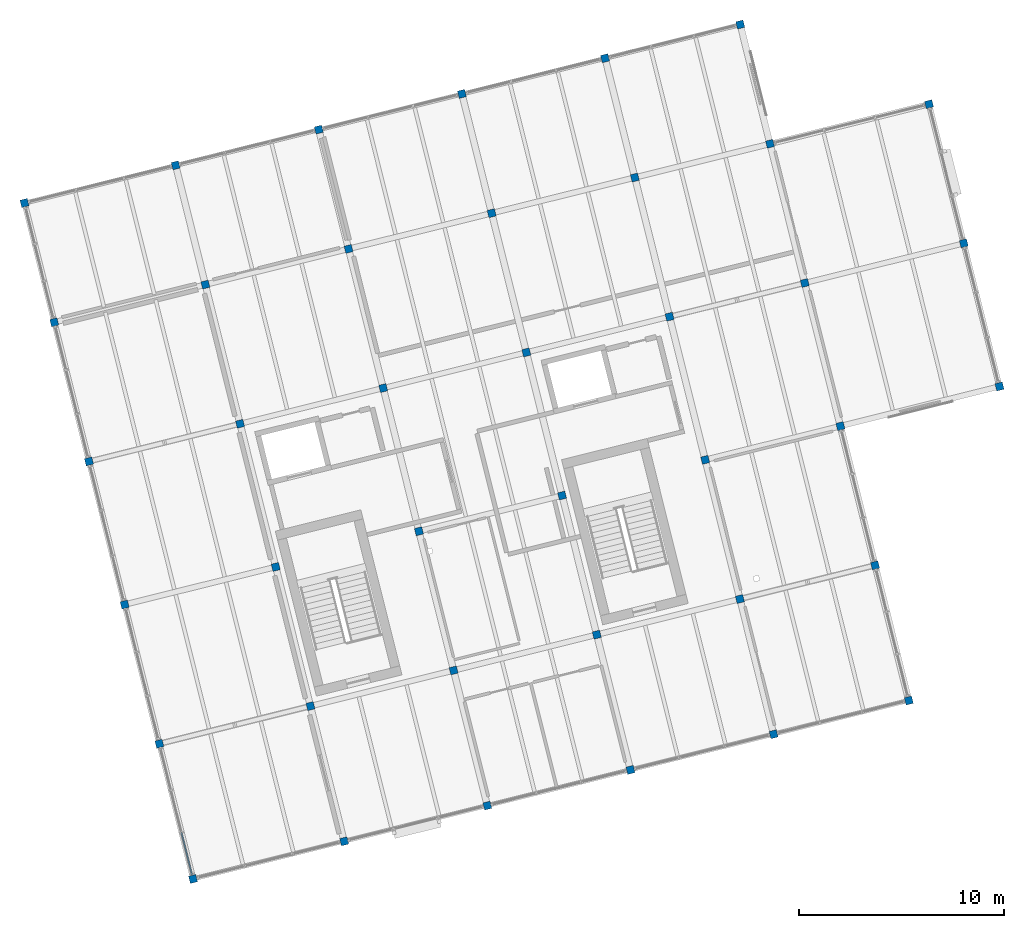
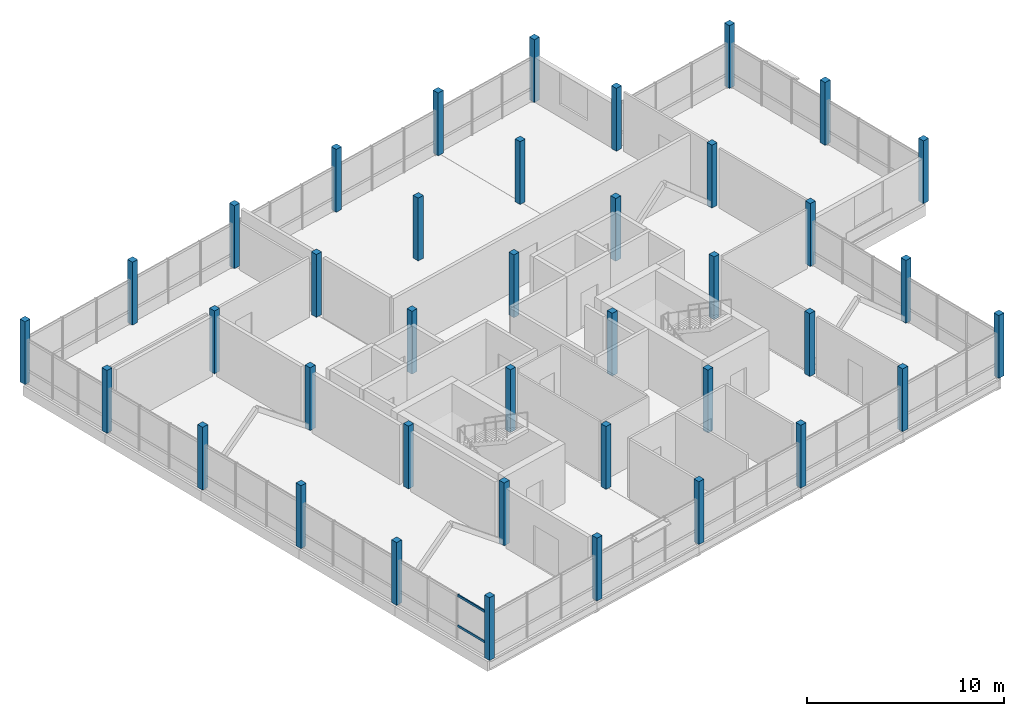
# One storey, part 1 of 26: 39 columns, 2 members, 1 element without a shape of its own.
"""IFC4 building model written with IfcOpenShell, lengths in metres."""

from ifc_helpers import new_model, si_unit, direction, frame, origin, origin_2d, place, context, subcontext, project, spatial, rectangle, hollow_rectangle, extrude, material, layer, layer_set, material_profile, profile_set, type_object, element, aggregate, save


model = new_model("IFC4")

# Units and contexts
model_context = context("Model", 3, precision=1e-05, world=origin(), true_north=direction((0.0, 1.0)))
body_context = subcontext(model_context, "Body", "Model", "MODEL_VIEW")
ifc_project = project(units=[si_unit("LENGTHUNIT", "METRE"), si_unit("AREAUNIT", "SQUARE_METRE"), si_unit("VOLUMEUNIT", "CUBIC_METRE"), si_unit("PLANEANGLEUNIT", "RADIAN"), si_unit("MASSUNIT", "GRAM", prefix="KILO")], contexts=[model_context])

# Site, building, storey
site_placement = place(None, origin())
site = spatial("IfcSite", under=ifc_project, at=site_placement, CompositionType="ELEMENT")
building_placement = place(site_placement, origin())
building = spatial("IfcBuilding", under=site, at=building_placement, Name="Meriwether Solvik Hall", CompositionType="ELEMENT")
storey_placement = place(building_placement, frame((0.0, 0.0, 41.699951171875)))
storey = spatial("IfcBuildingStorey", under=building, at=storey_placement, Name="L10", CompositionType="ELEMENT", Elevation=41.699951171875)

# Columns
ifc_material_1 = material(Name="Glulam Douglas-Fir L2 GL28c", Category="wood")
ifc_material_profile_1 = material_profile(ifc_material_1, rectangle(XDim=0.364990234375, YDim=0.364990234375, at=origin_2d()), Name="GLC-365X365")
ifc_profile_set_1 = profile_set([ifc_material_profile_1], Name="Glulam Douglas-Fir L2 GL28c")
column_type = type_object("IfcColumnType", Name="COL-GL-365X365", PredefinedType="COLUMN", material=ifc_profile_set_1)
for number, where, z_axis, x_axis, name in (
    (1, (68.60009765625, 41.199951171875, 0.0), (0.0, 0.0, 1.0), (0.970295726276, 0.2419218956, 0.0), "Tower Column T1/TA (L10)"),
    (2, (66.954833984375, 47.798095703125, 0.0), (0.0, 0.0, 1.0), (0.970295726276, 0.2419218956, 0.0), "Tower Column T1/TB (L10)"),
    (3, (65.261474609375, 54.590087890625, 0.0), (0.0, 0.0, 1.0), (0.970295726276, 0.2419218956, 0.0), "Tower Column T1/TC (L10)"),
    (4, (63.51953125, 61.576171875, 0.0), (0.0, 0.0, 1.0), (0.970295726276, 0.2419218956, 0.0), "Tower Column T1/TD (L10)"),
    (5, (61.826171875, 68.3681640625, 0.0), (0.0, 0.0, 1.0), (0.970295726276, 0.2419218956, 0.0), "Tower Column T1/TE (L10)"),
    (6, (60.374755859375, 74.18994140625, 0.0), (0.0, 0.0, 1.0), (0.970295726276, 0.2419218956, 0.0), "Tower Column T1/TF (L10)"),
    (7, (75.974365234375, 43.03857421875, 0.0), (0.0, 0.0, 1.0), (0.970295726276, 0.2419218956, 0.0), "Tower Column T2/TA (L10)"),
    (8, (74.3291015625, 49.63671875, 0.0), (0.0, 0.0, 1.0), (0.970295726276, 0.2419218956, 0.0), "Tower Column T2/TB (L10)"),
    (9, (72.6357421875, 56.4287109375, 0.0), (0.0, 0.0, 1.0), (0.970295726276, 0.2419218956, 0.0), "Tower Column T2/TC (L10)"),
    (10, (70.893798828125, 63.414794921875, 0.0), (0.0, 0.0, 1.0), (0.970295726276, 0.2419218956, 0.0), "Tower Column T2/TD (L10)"),
    (11, (69.200439453125, 70.206787109375, 0.0), (0.0, 0.0, 1.0), (0.970295726276, 0.2419218956, 0.0), "Tower Column T2/TE (L10)"),
    (12, (67.7490234375, 76.028564453125, 0.0), (0.0, 0.0, 1.0), (0.970295726276, 0.2419218956, 0.0), "Tower Column T2/TF (L10)"),
    (13, (82.96044921875, 44.780517578125, 0.0), (0.0, 0.0, 1.0), (0.970295726276, 0.2419218956, 0.0), "Tower Column T3/TA (L10)"),
    (14, (81.3154296875, 51.37841796875, 0.0), (0.0, 0.0, 1.0), (0.970295726276, 0.2419218956, 0.0), "Tower Column T3/TB (L10)"),
    (15, (79.621826171875, 58.17041015625, 0.0), (0.0, 0.0, 1.0), (0.970295726276, 0.2419218956, 0.0), "Tower Column T3/TC (L10)"),
    (16, (77.880126953125, 65.15673828125, 0.0), (0.0, 0.0, 1.0), (0.970295726276, 0.2419218956, 0.0), "Tower Column T3/TD (L10)"),
    (17, (76.1865234375, 71.94873046875, 0.0), (0.0, 0.0, 1.0), (0.970295726276, 0.2419218956, 0.0), "Tower Column T3/TE (L10)"),
    (18, (74.735107421875, 77.7705078125, 0.0), (0.0, 0.0, 1.0), (0.970295726276, 0.2419218956, 0.0), "Tower Column T3/TF (L10)"),
    (19, (89.946533203125, 46.522216796875, 0.0), (0.0, 0.0, 1.0), (0.970295726276, 0.2419218956, 0.0), "Tower Column T4/TA (L10)"),
    (20, (88.301513671875, 53.120361328125, 0.0), (0.0, 0.0, 1.0), (0.970295726276, 0.2419218956, 0.0), "Tower Column T4/TB (L10)"),
    (21, (86.60791015625, 59.912353515625, 0.0), (0.0, 0.0, 1.0), (0.970295726276, 0.2419218956, 0.0), "Tower Column T4/TC (L10)"),
    (22, (84.8662109375, 66.8984375, 0.0), (0.0, 0.0, 1.0), (0.970295726276, 0.2419218956, 0.0), "Tower Column T4/TD (L10)"),
    (23, (83.172607421875, 73.690673828125, 0.0), (0.0, 0.0, 1.0), (0.970295726276, 0.2419218956, 0.0), "Tower Column T4/TE (L10)"),
    (24, (81.72119140625, 79.512451171875, 0.0), (0.0, 0.0, 1.0), (0.970295726276, 0.2419218956, 0.0), "Tower Column T4/TF (L10)"),
    (25, (96.9326171875, 48.26416015625, 0.0), (0.0, 0.0, 1.0), (0.970295726276, 0.2419218956, 0.0), "Tower Column T5/TA (L10)"),
    (26, (95.28759765625, 54.862060546875, 0.0), (0.0, 0.0, 1.0), (0.970295726276, 0.2419218956, 0.0), "Tower Column T5/TB (L10)"),
    (27, (93.593994140625, 61.654296875, 0.0), (0.0, 0.0, 1.0), (0.970295726276, 0.2419218956, 0.0), "Tower Column T5/TC (L10)"),
    (28, (91.852294921875, 68.640380859375, 0.0), (0.0, 0.0, 1.0), (0.970295726276, 0.2419218956, 0.0), "Tower Column T5/TD (L10)"),
    (29, (90.158935546875, 75.432373046875, 0.0), (0.0, 0.0, 1.0), (0.970295726276, 0.2419218956, 0.0), "Tower Column T5/TE (L10)"),
    (30, (88.707275390625, 81.254150390625, 0.0), (0.0, 0.0, 1.0), (0.970295726276, 0.2419218956, 0.0), "Tower Column T5/TF (L10)"),
    (31, (103.53076171875, 49.9091796875, 0.0), (0.0, 0.0, 1.0), (0.970295726276, 0.2419218956, 0.0), "Tower Column T6/TA (L10)"),
    (32, (101.885498046875, 56.507080078125, 0.0), (0.0, 0.0, 1.0), (0.970295726276, 0.2419218956, 0.0), "Tower Column T6/TB (L10)"),
    (33, (100.192138671875, 63.29931640625, 0.0), (0.0, 0.0, 1.0), (0.970295726276, 0.2419218956, 0.0), "Tower Column T6/TC (L10)"),
    (34, (98.4501953125, 70.285400390625, 0.0), (0.0, 0.0, 1.0), (0.970295726276, 0.2419218956, 0.0), "Tower Column T6/TD (L10)"),
    (35, (96.7568359375, 77.077392578125, 0.0), (0.0, 0.0, 1.0), (0.970295726276, 0.2419218956, 0.0), "Tower Column T6/TE (L10)"),
    (36, (95.305419921875, 82.899169921875, 0.0), (0.0, 0.0, 1.0), (0.970295726276, 0.2419218956, 0.0), "Tower Column T6/TF (L10)"),
    (37, (107.95458984375, 65.234619140625, 0.0), (0.0, 0.0, 1.0), (0.970295726276, 0.2419218956, 0.0), "Tower Column T7/TC (L10)"),
    (38, (106.212646484375, 72.220703125, 0.0), (0.0, 0.0, 1.0), (0.970295726276, 0.2419218956, 0.0), "Tower Column T7/TD (L10)"),
    (39, (104.519287109375, 79.012939453125, 0.0), (0.0, 0.0, 1.0), (0.970295726276, 0.2419218956, 0.0), "Tower Column T7/TE (L10)"),
):
    element("IfcColumn", number, at=place(storey_placement, frame(where, z_axis=z_axis, x_axis=x_axis)), inside=storey, type_object=column_type, Name=name, PredefinedType="COLUMN", context=body_context, shape_type="SweptSolid", body=[
        extrude(rectangle(XDim=0.364990234375, YDim=0.364990234375, at=origin_2d()), origin(), (0.0, 0.0, 1.0), 3.900146484375),
    ])

# Curtain wall, members
ifc_material_2 = material(Name="Thermally Broken Anodised Aluminium 6063-T6 and Low-E Glass", Category="aluminium")
ifc_layer = layer(ifc_material_2, 0.179931640625)
ifc_layer_set = layer_set([ifc_layer], Name="Thermally Broken Anodised Aluminium 6063-T6 and Low-E Glass")
curtain_wall_type = type_object("IfcCurtainWallType", Name="CW-UNIT-A", PredefinedType="USERDEFINED", material=ifc_layer_set)
curtain_wall_placement = place(storey_placement, origin())
curtain_wall = element("IfcCurtainWall", 40, at=curtain_wall_placement, inside=storey, type_object=curtain_wall_type, Name="Curtain Wall E7_B0 (L10)", ObjectType="UNITISED CURTAIN WALL", PredefinedType="USERDEFINED")
ifc_material_3 = material(Name="Anodised Aluminium 6063-T6", Category="aluminium")
ifc_material_profile_2 = material_profile(ifc_material_3, hollow_rectangle(XDim=0.06494140625, YDim=0.139892578125, WallThickness=0.00439453125, at=origin_2d()), Name="CWT-65X140")
ifc_profile_set_2 = profile_set([ifc_material_profile_2], Name="Anodised Aluminium 6063-T6")
member_type = type_object("IfcMemberType", Name="CW-TRN-65X140", PredefinedType="USERDEFINED", material=ifc_profile_set_2)
member_1_placement = place(storey_placement, frame((68.543701171875, 41.425537109375, 0.8310546875), z_axis=(-0.241933481427, 0.970292837531, 0.0), x_axis=(-0.970292837531, -0.241933481427, 0.0)))
member_1 = element("IfcMember", 41, at=member_1_placement, type_object=member_type, Name="Curtain Wall Transom 1-sill", ObjectType="TRANSOM", PredefinedType="USERDEFINED", context=body_context, shape_type="SweptSolid", body=[
    extrude(hollow_rectangle(XDim=0.06494140625, YDim=0.139892578125, WallThickness=0.00439453125, at=origin_2d()), origin(), (0.0, 0.0, 1.0), 2.098876953125),
])
member_2_placement = place(storey_placement, frame((68.543701171875, 41.425537109375, 2.7099609375), z_axis=(-0.241933481427, 0.970292837531, 0.0), x_axis=(-0.970292837531, -0.241933481427, 0.0)))
member_2 = element("IfcMember", 42, at=member_2_placement, type_object=member_type, Name="Curtain Wall Transom 1-head", ObjectType="TRANSOM", PredefinedType="USERDEFINED", context=body_context, shape_type="SweptSolid", body=[
    extrude(hollow_rectangle(XDim=0.06494140625, YDim=0.139892578125, WallThickness=0.00439453125, at=origin_2d()), origin(), (0.0, 0.0, 1.0), 2.098876953125),
])
aggregate(curtain_wall, [member_1, member_2])

save(model, "model.ifc")
